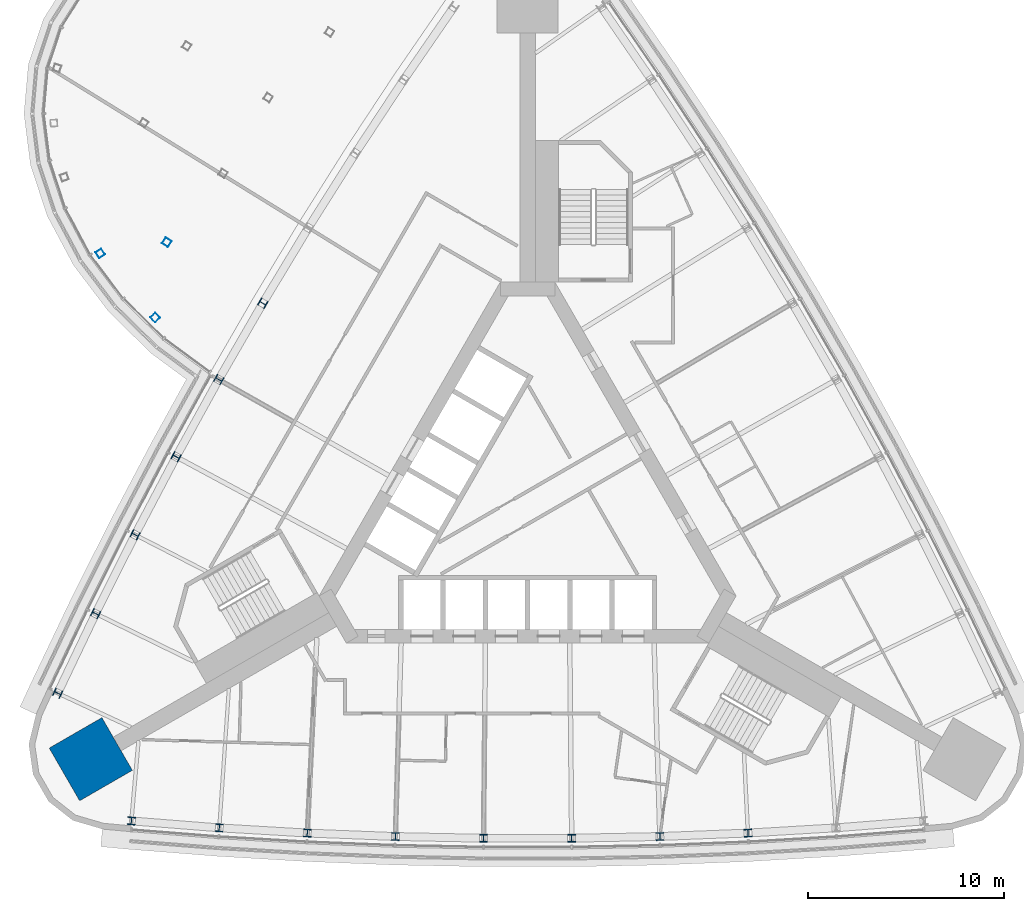
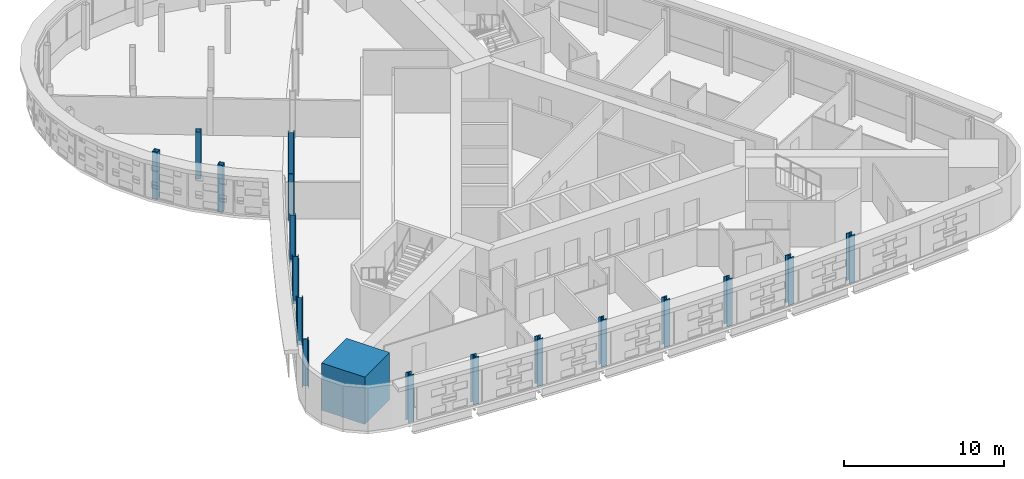
# One storey, part 1 of 16: 18 columns.
"""IFC4 building model written with IfcOpenShell, lengths in metres."""

import ifcopenshell
import ifcopenshell.guid

model = None  # the IFC model being written
_history = None  # IfcOwnerHistory: only IFC2X3 demands one
_inside = {}  # id of a spatial element -> (the spatial element, [elements in it])
_under = {}  # id of a project, library or spatial element -> (it, [spatial elements below it])
_declared = {}  # id of a project -> (the project, [libraries it declares])
_typed = {}  # id of a type object -> (the type object, [elements of that type])
_made_of = {}  # id of a material, layer set ... -> (it, [elements and type objects made of it])


def new_model(schema):
    """Start an empty IFC model of exactly this schema.

    Asked for "IFC4X3", IfcOpenShell would pick the latest addendum, in which some entities
    have other attributes; the version numbers below select the first issue.
    IFC2X3 requires an IfcOwnerHistory on every rooted entity: one is made here for all.
    """
    global model, _history
    if schema == "IFC4X3":
        model = ifcopenshell.file(schema_version=(4, 3, 0, 0))
    else:
        model = ifcopenshell.file(schema=schema)
    _inside.clear()
    _under.clear()
    _declared.clear()
    _typed.clear()
    _made_of.clear()
    _history = None
    if model.schema == "IFC2X3":
        org = make("IfcOrganization", Name="unknown")
        user = make(
            "IfcPersonAndOrganization",
            ThePerson=make("IfcPerson", FamilyName="unknown"),
            TheOrganization=org,
        )
        app = make(
            "IfcApplication",
            ApplicationDeveloper=org,
            Version="unknown",
            ApplicationFullName="unknown",
            ApplicationIdentifier="unknown",
        )
        _history = make(
            "IfcOwnerHistory",
            OwningUser=user,
            OwningApplication=app,
            ChangeAction="ADDED",
            CreationDate=0,
        )
    return model


def make(cls, **values):
    """One entity of the class cls with the attributes given. An attribute that is None is left unset."""
    return model.create_entity(
        cls, **{name: value for name, value in values.items() if value is not None}
    )


def rooted(cls, **values):
    """An entity with a GlobalId (a new one), such as an element, a storey or a relation."""
    return make(cls, GlobalId=ifcopenshell.guid.new(), OwnerHistory=_history, **values)


def si_unit(unit_type, name, prefix=None):
    """IfcSIUnit, for example si_unit("LENGTHUNIT", "METRE", prefix="MILLI")."""
    return make("IfcSIUnit", UnitType=unit_type, Prefix=prefix, Name=name)


def assignment(units):
    """IfcUnitAssignment: the units of a project."""
    return None if units is None else make("IfcUnitAssignment", Units=units)


def point(xyz):
    """IfcCartesianPoint."""
    return None if xyz is None else make("IfcCartesianPoint", Coordinates=xyz)


def direction(xyz):
    """IfcDirection."""
    return None if xyz is None else make("IfcDirection", DirectionRatios=xyz)


def frame(location, z_axis=None, x_axis=None):
    """IfcAxis2Placement3D, a coordinate frame: its origin and axes. An axis left out is left unset."""
    return make(
        "IfcAxis2Placement3D",
        Location=point(location),
        Axis=direction(z_axis),
        RefDirection=direction(x_axis),
    )


def frame_2d(location, x_axis=None):
    """IfcAxis2Placement2D, a coordinate frame in the plane: its origin and x axis."""
    return make(
        "IfcAxis2Placement2D", Location=point(location), RefDirection=direction(x_axis)
    )


def origin():
    """The frame at (0, 0, 0) with its axes left unset."""
    return frame((0.0, 0.0, 0.0))


def origin_2d():
    """The frame at (0, 0) in the plane with its x axis left unset."""
    return frame_2d((0.0, 0.0))


def place(relative_to, where):
    """IfcLocalPlacement: puts the frame where relative to a parent placement (None: the world)."""
    return make(
        "IfcLocalPlacement", PlacementRelTo=relative_to, RelativePlacement=where
    )


def context(
    kind, dimensions, precision=None, world=None, true_north=None, identifier=None
):
    """IfcGeometricRepresentationContext, for example the 3D "Model" context."""
    return make(
        "IfcGeometricRepresentationContext",
        ContextIdentifier=identifier,
        ContextType=kind,
        CoordinateSpaceDimension=dimensions,
        Precision=precision,
        WorldCoordinateSystem=world,
        TrueNorth=true_north,
    )


def subcontext(parent, identifier, kind, view, scale=None):
    """IfcGeometricRepresentationSubContext, for example "Body" below "Model"."""
    return make(
        "IfcGeometricRepresentationSubContext",
        ContextIdentifier=identifier,
        ContextType=kind,
        ParentContext=parent,
        TargetScale=scale,
        TargetView=view,
    )


def project(units=None, contexts=None):
    """IfcProject with its units and contexts."""
    return rooted(
        "IfcProject",
        Name="project",
        RepresentationContexts=contexts,
        UnitsInContext=assignment(units),
    )


def spatial(cls, under=None, at=None, **own):
    """A site, building, storey or space (cls), placed at a placement, below another one or the project."""
    s = rooted(cls, ObjectPlacement=at, **own)
    if under is not None:
        _under.setdefault(under.id(), (under, []))[1].append(s)
    return s


def profile(cls, at=None, kind="AREA", **sizes):
    """A parametric profile (cls). Its sizes go by their IFC names, for example OverallWidth=200.0."""
    return make(cls, ProfileType=kind, Position=at, **sizes)


def rectangle(**sizes):
    """IfcRectangleProfileDef."""
    return profile("IfcRectangleProfileDef", **sizes)


def hollow_rectangle(**sizes):
    """IfcRectangleHollowProfileDef."""
    return profile("IfcRectangleHollowProfileDef", **sizes)


def i_section(**sizes):
    """IfcIShapeProfileDef."""
    return profile("IfcIShapeProfileDef", **sizes)


def extrude(swept, where, along, depth):
    """IfcExtrudedAreaSolid: the profile swept, set in the frame where, extruded along a direction by depth."""
    return make(
        "IfcExtrudedAreaSolid",
        SweptArea=swept,
        Position=where,
        ExtrudedDirection=direction(along),
        Depth=depth,
    )


def shape(context_of_items, identifier, shape_type, items):
    """IfcShapeRepresentation: the items that make up one representation, for example the "Body"."""
    return make(
        "IfcShapeRepresentation",
        ContextOfItems=context_of_items,
        RepresentationIdentifier=identifier,
        RepresentationType=shape_type,
        Items=items,
    )


def material(Name=None, Category=None):
    """IfcMaterial."""
    return make("IfcMaterial", Name=Name, Category=Category)


def material_profile(
    of_material, cross_section, Name=None, Category=None, Priority=None
):
    """IfcMaterialProfile: a cross section and its material."""
    return make(
        "IfcMaterialProfile",
        Name=Name,
        Material=of_material,
        Profile=cross_section,
        Priority=Priority,
        Category=Category,
    )


def profile_set(profiles, Name=None, composite=None):
    """IfcMaterialProfileSet."""
    return make(
        "IfcMaterialProfileSet",
        Name=Name,
        MaterialProfiles=profiles,
        CompositeProfile=composite,
    )


def made_of(thing, what):
    """Note that an element or type object is made of a material, layer set ...; save() writes the relation."""
    if what is not None:
        _made_of.setdefault(what.id(), (what, []))[1].append(thing)
    return thing


def type_object(cls, material=None, **own):
    """A type object (cls), such as IfcWallType, which elements share."""
    return made_of(rooted(cls, **own), material)


def element(
    cls,
    number,
    at=None,
    inside=None,
    cuts=None,
    type_object=None,
    material=None,
    context=None,
    identifier="Body",
    shape_type=None,
    held_by="IfcProductDefinitionShape",
    body=None,
    shapes=None,
    **own,
):
    """One element of the class cls, such as IfcWall. Its Tag is "e" and its number.

    at: its placement. inside: the storey or other place that contains it. cuts: it is an
    opening in that element (IfcRelVoidsElement). A single representation is given by context,
    identifier, shape_type and body (its items); several are given by shapes. held_by: the class
    of the entity that holds the representations. save() writes the other relations.
    """
    e = rooted(cls, Tag="e%d" % number, ObjectPlacement=at, **own)
    if body is not None:
        shapes = [shape(context, identifier, shape_type, body)]
    if shapes is not None:
        e.Representation = make(held_by, Representations=shapes)
    if inside is not None:
        _inside.setdefault(inside.id(), (inside, []))[1].append(e)
    if cuts is not None:
        rooted(
            "IfcRelVoidsElement", RelatingBuildingElement=cuts, RelatedOpeningElement=e
        )
    if type_object is not None:
        _typed.setdefault(type_object.id(), (type_object, []))[1].append(e)
    return made_of(e, material)


def aggregate(whole, parts):
    """IfcRelAggregates: a whole, such as a stair, and the parts it consists of."""
    return rooted("IfcRelAggregates", RelatingObject=whole, RelatedObjects=parts)


def save(model, path):
    """Write the relations noted so far, then the file.

    IfcRelAggregates (storeys below a building ...), IfcRelContainedInSpatialStructure (elements
    in a storey), IfcRelDefinesByType, IfcRelAssociatesMaterial and IfcRelDeclares: one each for
    every whole, place, type object, material and project.
    """
    for whole, parts in _under.values():
        aggregate(whole, parts)
    for where, things in _inside.values():
        rooted(
            "IfcRelContainedInSpatialStructure",
            RelatedElements=things,
            RelatingStructure=where,
        )
    for kind, things in _typed.values():
        rooted("IfcRelDefinesByType", RelatedObjects=things, RelatingType=kind)
    for what, things in _made_of.values():
        rooted("IfcRelAssociatesMaterial", RelatedObjects=things, RelatingMaterial=what)
    for by, libraries in _declared.values():
        rooted("IfcRelDeclares", RelatingContext=by, RelatedDefinitions=libraries)
    model.write(path)


model = new_model("IFC4")

# Units and contexts
model_context = context("Model", 3, precision=1e-05, world=origin(), true_north=direction((0.0, 1.0)))
body_context = subcontext(model_context, "Body", "Model", "MODEL_VIEW")
ifc_project = project(units=[si_unit("LENGTHUNIT", "METRE"), si_unit("AREAUNIT", "SQUARE_METRE"), si_unit("VOLUMEUNIT", "CUBIC_METRE"), si_unit("PLANEANGLEUNIT", "RADIAN"), si_unit("MASSUNIT", "GRAM", prefix="KILO")], contexts=[model_context])

# Site, building, storey
site_placement = place(None, origin())
site = spatial("IfcSite", under=ifc_project, at=site_placement, CompositionType="ELEMENT")
building_placement = place(site_placement, origin())
building = spatial("IfcBuilding", under=site, at=building_placement, Name="Noor Cloister Tower", CompositionType="ELEMENT")
storey_placement = place(building_placement, frame((0.0, 0.0, 91.5)))
storey = spatial("IfcBuildingStorey", under=building, at=storey_placement, Name="L23", CompositionType="ELEMENT", Elevation=91.5)

# Columns
ifc_material_1 = material(Name="Steel ASTM A992 Gr 50", Category="steel")
ifc_material_profile_1 = material_profile(ifc_material_1, i_section(OverallWidth=0.40087890625, OverallDepth=0.39892578125, WebThickness=0.02490234375, FlangeThickness=0.03955078125, FilletRadius=0.015380859375, at=origin_2d()), Name="W360x314")
ifc_profile_set_1 = profile_set([ifc_material_profile_1], Name="Steel ASTM A992 Gr 50")
column_type_1 = type_object("IfcColumnType", Name="Column W360x314", PredefinedType="COLUMN", material=ifc_profile_set_1)
for number, where, z_axis, x_axis, name in (
    (1, (-13.484375, 10.376953125, -0.199951171875), (0.0, 0.0, 1.0), (-0.508498755365, -0.861062724656, 0.0), "Column NW 05 L23"),
    (2, (-15.72900390625, 6.489501953125, -0.199951171875), (0.0, 0.0, 1.0), (-0.491452816121, -0.870904202267, 0.0), "Column NW 06 L23"),
    (3, (-17.896728515625, 2.558349609375, -0.199951171875), (0.0, 0.0, 1.0), (-0.474216478854, -0.880408275281, 0.0), "Column NW 07 L23"),
    (4, (-19.986328125, -1.414794921875, -0.199951171875), (0.0, 0.0, 1.0), (-0.456796421257, -0.889571261635, 0.0), "Column NW 08 L23"),
    (5, (-21.99755859375, -5.427978515625, -0.199951171875), (0.0, 0.0, 1.0), (-0.439199392158, -0.898389611432, 0.0), "Column NW 09 L23"),
    (6, (-23.929443359375, -9.480224609375, -0.199951171875), (0.0, 0.0, 1.0), (-0.421432208989, -0.906859908269, 0.0), "Column NW 10 L23"),
    (7, (-20.1748046875, -15.9833984375, -0.199951171875), (0.0, 0.0, 1.0), (0.99607982273, -0.088458955177, 0.0), "Column S 01 L23"),
    (8, (-15.69970703125, -16.33642578125, -0.199951171875), (0.0, 0.0, 1.0), (0.997627922075, -0.06883697478, 0.0), "Column S 02 L23"),
    (9, (-11.218505859375, -16.601318359375, -0.199951171875), (0.0, 0.0, 1.0), (0.998789521681, -0.049188325651, 0.0), "Column S 03 L23"),
    (10, (-6.732666015625, -16.778076171875, -0.199951171875), (0.0, 0.0, 1.0), (0.999564171522, -0.02952062006, 0.0), "Column S 04 L23"),
    (11, (-2.24462890625, -16.866455078125, -0.199951171875), (0.0, 0.0, 1.0), (0.999951571487, -0.009841477611, 0.0), "Column S 05 L23"),
    (12, (2.24462890625, -16.866455078125, -0.199951171875), (0.0, 0.0, 1.0), (0.999951571487, 0.009841477611, 0.0), "Column S 06 L23"),
    (13, (6.732666015625, -16.778076171875, -0.199951171875), (0.0, 0.0, 1.0), (0.999564171522, 0.02952062006, 0.0), "Column S 07 L23"),
    (14, (11.218505859375, -16.601318359375, -0.199951171875), (0.0, 0.0, 1.0), (0.998789521681, 0.049188325651, 0.0), "Column S 08 L23"),
):
    element("IfcColumn", number, at=place(storey_placement, frame(where, z_axis=z_axis, x_axis=x_axis)), inside=storey, type_object=column_type_1, Name=name, PredefinedType="COLUMN", context=body_context, shape_type="SweptSolid", body=[
        extrude(i_section(OverallWidth=0.40087890625, OverallDepth=0.39892578125, WebThickness=0.02490234375, FlangeThickness=0.03955078125, FilletRadius=0.015380859375, at=origin_2d()), origin(), (0.0, 0.0, 1.0), 3.599853515625),
    ])
ifc_material_2 = material(Name="Concrete C80/95", Category="concrete")
ifc_material_profile_2 = material_profile(ifc_material_2, rectangle(XDim=3.10009765625, YDim=3.10009765625, at=origin_2d()), Name="RC 3100x3100")
ifc_profile_set_2 = profile_set([ifc_material_profile_2], Name="Concrete C80/95")
column_type_2 = type_object("IfcColumnType", Name="Corner pier 3100 x 3100 C80/95", PredefinedType="COLUMN", material=ifc_profile_set_2)
column_placement = place(storey_placement, frame((-22.242919921875, -12.842041015625, -0.199951171875), z_axis=(0.0, 0.0, 1.0), x_axis=(-0.866025403784, -0.5, 0.0)))
element("IfcColumn", 15, at=column_placement, inside=storey, type_object=column_type_2, Name="Corner pier SW L23", PredefinedType="COLUMN", context=body_context, shape_type="SweptSolid", body=[
    extrude(rectangle(XDim=3.10009765625, YDim=3.10009765625, at=origin_2d()), origin(), (0.0, 0.0, 1.0), 3.599853515625),
])
ifc_material_3 = material(Name="Steel ASTM A500 Gr C", Category="steel")
ifc_material_profile_3 = material_profile(ifc_material_3, hollow_rectangle(XDim=0.35595703125, YDim=0.35595703125, WallThickness=0.0126953125, at=origin_2d()), Name="HSS355.6x355.6x12.7")
ifc_profile_set_3 = profile_set([ifc_material_profile_3], Name="Steel ASTM A500 Gr C")
column_type_3 = type_object("IfcColumnType", Name="Pod post HSS355.6x355.6x12.7", PredefinedType="COLUMN", material=ifc_profile_set_3)
for number, where, z_axis, x_axis, name in (
    (16, (-18.37158203125, 13.482666015625, -0.199951171875), (0.0, 0.0, 1.0), (-0.843995500683, 0.536350253871, 0.0), "Pod post 2 L23 line 5 node 1"),
    (17, (-21.759033203125, 12.91259765625, -0.199951171875), (0.0, 0.0, 1.0), (0.543433781769, -0.839452038435, 0.0), "Pod post 2 L23 ring 10"),
    (18, (-18.95947265625, 9.65087890625, -0.199951171875), (0.0, 0.0, 1.0), (0.683681183545, -0.729780815908, 0.0), "Pod post 2 L23 ring 11"),
):
    element("IfcColumn", number, at=place(storey_placement, frame(where, z_axis=z_axis, x_axis=x_axis)), inside=storey, type_object=column_type_3, Name=name, PredefinedType="COLUMN", context=body_context, shape_type="SweptSolid", body=[
        extrude(hollow_rectangle(XDim=0.35595703125, YDim=0.35595703125, WallThickness=0.0126953125, at=origin_2d()), origin(), (0.0, 0.0, 1.0), 3.599853515625),
    ])

save(model, "model.ifc")
